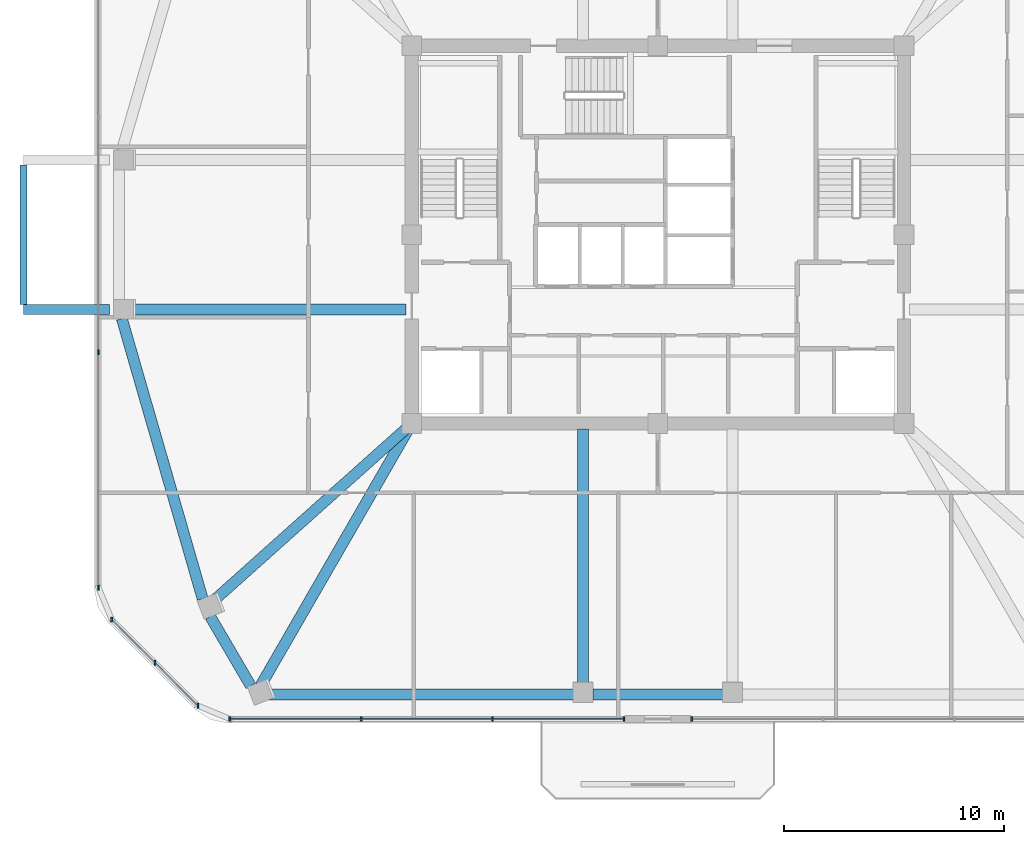
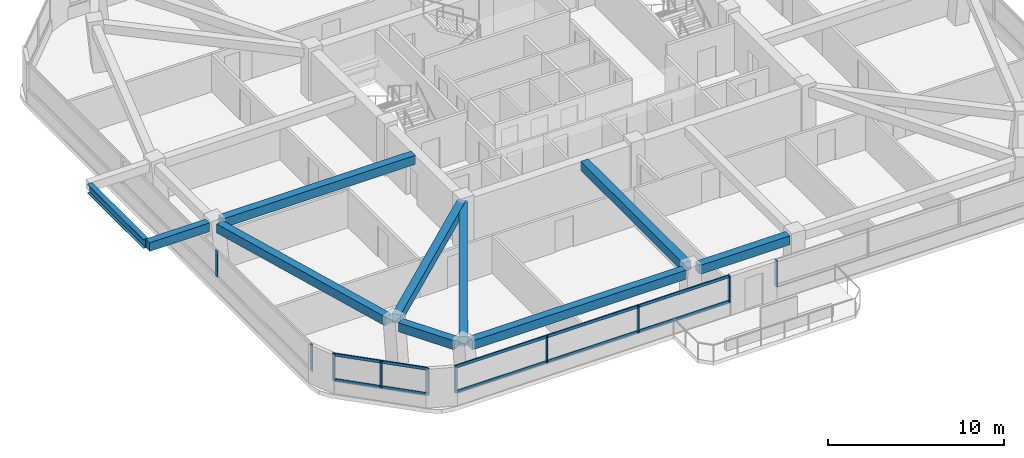
# One storey, part 2 of 12: 14 members, 10 beams, 4 elements without a shape of their own.
"""IFC4 building model written with IfcOpenShell, lengths in metres."""

from ifc_helpers import new_model, si_unit, derived_unit, direction, frame, origin, origin_2d, place, context, subcontext, project, spatial, rectangle, i_section, extrude, material, material_profile, profile_set, type_object, element, aggregate, save


model = new_model("IFC4")

# Units and contexts
model_context = context("Model", 3, precision=1e-05, world=origin(), true_north=direction((0.0, 1.0)))
body_context = subcontext(model_context, "Body", "Model", "MODEL_VIEW")
ifc_project = project(units=[si_unit("LENGTHUNIT", "METRE"), si_unit("AREAUNIT", "SQUARE_METRE"), si_unit("VOLUMEUNIT", "CUBIC_METRE"), si_unit("PLANEANGLEUNIT", "RADIAN"), si_unit("MASSUNIT", "GRAM", prefix="KILO"), derived_unit("THERMALTRANSMITTANCEUNIT", [(si_unit("POWERUNIT", "WATT"), 1), (si_unit("LENGTHUNIT", "METRE"), -2), (si_unit("THERMODYNAMICTEMPERATUREUNIT", "KELVIN"), -1)])], contexts=[model_context])

# Site, building, storey
site_placement = place(None, origin())
site = spatial("IfcSite", under=ifc_project, at=site_placement, CompositionType="ELEMENT")
building_placement = place(site_placement, origin())
building = spatial("IfcBuilding", under=site, at=building_placement, Name="Koralith Skygarden Medical Center", CompositionType="ELEMENT")
storey_placement = place(building_placement, frame((0.0, 0.0, 203.580078125)))
storey = spatial("IfcBuildingStorey", under=building, at=storey_placement, Name="L52", CompositionType="ELEMENT", Elevation=203.580078125)

# Curtain wall, members
ifc_material_1 = material(Name="Clear Laminated Glass", Category="glass")
curtain_wall_type = type_object("IfcCurtainWallType", Name="CW-5 Zone 4 Flare Biophilic Curtain Wall", PredefinedType="NOTDEFINED", material=ifc_material_1)
curtain_wall_1_placement = place(storey_placement, origin())
curtain_wall_1 = element("IfcCurtainWall", 1, at=curtain_wall_1_placement, inside=storey, type_object=curtain_wall_type, Name="Curtain Wall CW-L52-S-L", PredefinedType="NOTDEFINED")
ifc_material_2 = material(Name="Aluminium 6063-T6", Category="aluminium")
ifc_material_profile_1 = material_profile(ifc_material_2, rectangle(XDim=0.080078125, YDim=0.219970703125, at=origin_2d()), Name="MUL80X220")
ifc_profile_set_1 = profile_set([ifc_material_profile_1], Name="Aluminium 6063-T6")
member_type_1 = type_object("IfcMemberType", Name="CW-5 Extruded Mullion 80x220", PredefinedType="MULLION", material=ifc_profile_set_1)
member_1_placement = place(storey_placement, frame((17.52490234375, 3.85791015625, 0.849853515625), z_axis=(0.0, 0.0, 1.0), x_axis=(1.0, 0.0, 0.0)))
member_1 = element("IfcMember", 2, at=member_1_placement, type_object=member_type_1, Name="CW-L52-S-L Mullion 1", PredefinedType="MULLION", context=body_context, shape_type="SweptSolid", body=[
    extrude(rectangle(XDim=0.080078125, YDim=0.219970703125, at=origin_2d()), origin(), (0.0, 0.0, 1.0), 1.840087890625),
])
member_2_placement = place(storey_placement, frame((23.5029296875, 3.85791015625, 0.849853515625), z_axis=(0.0, 0.0, 1.0), x_axis=(1.0, 0.0, 0.0)))
member_2 = element("IfcMember", 3, at=member_2_placement, type_object=member_type_1, Name="CW-L52-S-L Mullion 2", PredefinedType="MULLION", context=body_context, shape_type="SweptSolid", body=[
    extrude(rectangle(XDim=0.080078125, YDim=0.219970703125, at=origin_2d()), origin(), (0.0, 0.0, 1.0), 1.840087890625),
])
member_3_placement = place(storey_placement, frame((29.48193359375, 3.85791015625, 0.849853515625), z_axis=(0.0, 0.0, 1.0), x_axis=(1.0, 0.0, 0.0)))
member_3 = element("IfcMember", 4, at=member_3_placement, type_object=member_type_1, Name="CW-L52-S-L Mullion 3", PredefinedType="MULLION", context=body_context, shape_type="SweptSolid", body=[
    extrude(rectangle(XDim=0.080078125, YDim=0.219970703125, at=origin_2d()), origin(), (0.0, 0.0, 1.0), 1.840087890625),
])
member_4_placement = place(storey_placement, frame((35.4599609375, 3.85791015625, 0.849853515625), z_axis=(0.0, 0.0, 1.0), x_axis=(1.0, 0.0, 0.0)))
member_4 = element("IfcMember", 5, at=member_4_placement, type_object=member_type_1, Name="CW-L52-S-L Mullion 4", PredefinedType="MULLION", context=body_context, shape_type="SweptSolid", body=[
    extrude(rectangle(XDim=0.080078125, YDim=0.219970703125, at=origin_2d()), origin(), (0.0, 0.0, 1.0), 1.840087890625),
])

# Curtain wall, member
curtain_wall_2_placement = place(storey_placement, origin())
curtain_wall_2 = element("IfcCurtainWall", 6, at=curtain_wall_2_placement, inside=storey, type_object=curtain_wall_type, Name="Curtain Wall CW-L52-S-R", PredefinedType="NOTDEFINED")
member_5_placement = place(storey_placement, frame((38.5400390625, 3.85791015625, 0.849853515625), z_axis=(0.0, 0.0, 1.0), x_axis=(1.0, 0.0, 0.0)))
member_5 = element("IfcMember", 7, at=member_5_placement, type_object=member_type_1, Name="CW-L52-S-R Mullion 1", PredefinedType="MULLION", context=body_context, shape_type="SweptSolid", body=[
    extrude(rectangle(XDim=0.080078125, YDim=0.219970703125, at=origin_2d()), origin(), (0.0, 0.0, 1.0), 1.840087890625),
])
aggregate(curtain_wall_2, [member_5])

# Curtain wall, members
curtain_wall_3_placement = place(storey_placement, origin())
curtain_wall_3 = element("IfcCurtainWall", 8, at=curtain_wall_3_placement, inside=storey, type_object=curtain_wall_type, Name="Curtain Wall CW-L52-W", PredefinedType="NOTDEFINED")
member_6_placement = place(storey_placement, frame((11.549072265625, 20.544921875, 0.849853515625), z_axis=(0.0, 0.0, 1.0), x_axis=(1.0, 0.0, 0.0)))
member_6 = element("IfcMember", 9, at=member_6_placement, type_object=member_type_1, Name="CW-L52-W Mullion 3", PredefinedType="MULLION", context=body_context, shape_type="SweptSolid", body=[
    extrude(rectangle(XDim=0.080078125, YDim=0.219970703125, at=origin_2d()), origin(), (0.0, 0.0, 1.0), 1.840087890625),
])
member_7_placement = place(storey_placement, frame((11.549072265625, 9.833984375, 0.849853515625), z_axis=(0.0, 0.0, 1.0), x_axis=(1.0, 0.0, 0.0)))
member_7 = element("IfcMember", 10, at=member_7_placement, type_object=member_type_1, Name="CW-L52-W Mullion 4", PredefinedType="MULLION", context=body_context, shape_type="SweptSolid", body=[
    extrude(rectangle(XDim=0.080078125, YDim=0.219970703125, at=origin_2d()), origin(), (0.0, 0.0, 1.0), 1.840087890625),
])
aggregate(curtain_wall_3, [member_6, member_7])

curtain_wall_4_placement = place(storey_placement, origin())
curtain_wall_4 = element("IfcCurtainWall", 11, at=curtain_wall_4_placement, inside=storey, type_object=curtain_wall_type, Name="Curtain Wall CW-L52-SW", PredefinedType="NOTDEFINED")
member_8_placement = place(storey_placement, frame((12.15087890625, 8.383056640625, 0.849853515625), z_axis=(0.0, 0.0, 1.0), x_axis=(1.0, 0.0, 0.0)))
member_8 = element("IfcMember", 12, at=member_8_placement, type_object=member_type_1, Name="CW-L52-SW Mullion 1", PredefinedType="MULLION", context=body_context, shape_type="SweptSolid", body=[
    extrude(rectangle(XDim=0.080078125, YDim=0.219970703125, at=origin_2d()), origin(), (0.0, 0.0, 1.0), 1.840087890625),
])
member_9_placement = place(storey_placement, frame((14.113037109375, 6.4208984375, 0.849853515625), z_axis=(0.0, 0.0, 1.0), x_axis=(1.0, 0.0, 0.0)))
member_9 = element("IfcMember", 13, at=member_9_placement, type_object=member_type_1, Name="CW-L52-SW Mullion 2", PredefinedType="MULLION", context=body_context, shape_type="SweptSolid", body=[
    extrude(rectangle(XDim=0.080078125, YDim=0.219970703125, at=origin_2d()), origin(), (0.0, 0.0, 1.0), 1.840087890625),
])
member_10_placement = place(storey_placement, frame((16.073974609375, 4.4599609375, 0.849853515625), z_axis=(0.0, 0.0, 1.0), x_axis=(1.0, 0.0, 0.0)))
member_10 = element("IfcMember", 14, at=member_10_placement, type_object=member_type_1, Name="CW-L52-SW Mullion 3", PredefinedType="MULLION", context=body_context, shape_type="SweptSolid", body=[
    extrude(rectangle(XDim=0.080078125, YDim=0.219970703125, at=origin_2d()), origin(), (0.0, 0.0, 1.0), 1.840087890625),
])

# Member
ifc_material_profile_2 = material_profile(ifc_material_2, rectangle(XDim=0.074951171875, YDim=0.197998046875, at=origin_2d()), Name="TRN75X198")
ifc_profile_set_2 = profile_set([ifc_material_profile_2], Name="Aluminium 6063-T6")
member_type_2 = type_object("IfcMemberType", Name="CW-5 Thermal Transom 75x198", PredefinedType="USERDEFINED", material=ifc_profile_set_2)
member_11_placement = place(storey_placement, frame((17.52490234375, 3.85791015625, 0.89990234375), z_axis=(1.0, 0.0, 0.0), x_axis=(0.0, 1.0, 0.0)))
member_11 = element("IfcMember", 15, at=member_11_placement, type_object=member_type_2, Name="CW-L52-S-L Transom 1", ObjectType="TRANSOM", PredefinedType="USERDEFINED", context=body_context, shape_type="SweptSolid", body=[
    extrude(rectangle(XDim=0.074951171875, YDim=0.197998046875, at=origin_2d()), origin(), (0.0, 0.0, 1.0), 17.93505859375),
])

member_12_placement = place(storey_placement, frame((17.52490234375, 3.85791015625, 2.639892578125), z_axis=(1.0, 0.0, 0.0), x_axis=(0.0, 1.0, 0.0)))
member_12 = element("IfcMember", 16, at=member_12_placement, type_object=member_type_2, Name="CW-L52-S-L Transom 2", ObjectType="TRANSOM", PredefinedType="USERDEFINED", context=body_context, shape_type="SweptSolid", body=[
    extrude(rectangle(XDim=0.074951171875, YDim=0.197998046875, at=origin_2d()), origin(), (0.0, 0.0, 1.0), 17.93505859375),
])

aggregate(curtain_wall_1, [member_1, member_2, member_3, member_4, member_11, member_12])

member_13_placement = place(storey_placement, frame((12.15087890625, 8.383056640625, 0.89990234375), z_axis=(0.707106781187, -0.707106781187, 0.0), x_axis=(0.707106781187, 0.707106781187, 0.0)))
member_13 = element("IfcMember", 17, at=member_13_placement, type_object=member_type_2, Name="CW-L52-SW Transom 1", ObjectType="TRANSOM", PredefinedType="USERDEFINED", context=body_context, shape_type="SweptSolid", body=[
    extrude(rectangle(XDim=0.074951171875, YDim=0.197998046875, at=origin_2d()), origin(), (0.0, 0.0, 1.0), 5.548095703125),
])

member_14_placement = place(storey_placement, frame((12.15087890625, 8.383056640625, 2.639892578125), z_axis=(0.707106781187, -0.707106781187, 0.0), x_axis=(0.707106781187, 0.707106781187, 0.0)))
member_14 = element("IfcMember", 18, at=member_14_placement, type_object=member_type_2, Name="CW-L52-SW Transom 2", ObjectType="TRANSOM", PredefinedType="USERDEFINED", context=body_context, shape_type="SweptSolid", body=[
    extrude(rectangle(XDim=0.074951171875, YDim=0.197998046875, at=origin_2d()), origin(), (0.0, 0.0, 1.0), 5.548095703125),
])

aggregate(curtain_wall_4, [member_8, member_9, member_10, member_13, member_14])

# Beams
ifc_material_3 = material(Name="Steel ASTM A992 Grade 50", Category="steel")
ifc_material_profile_3 = material_profile(ifc_material_3, i_section(OverallWidth=0.326904296875, OverallDepth=0.6220703125, WebThickness=0.015380859375, FlangeThickness=0.0244140625, at=origin_2d()), Name="W24X131")
ifc_profile_set_3 = profile_set([ifc_material_profile_3], Name="Steel ASTM A992 Grade 50")
beam_type_1 = type_object("IfcBeamType", Name="Cantilever Tie Beam W24X131", PredefinedType="BEAM", material=ifc_profile_set_3)
beam_1_placement = place(storey_placement, frame((8.136962890625, 22.719970703125, 3.02880859375), z_axis=(0.0, 1.0, 0.0), x_axis=(-1.0, 0.0, 0.0)))
element("IfcBeam", 19, at=beam_1_placement, inside=storey, type_object=beam_type_1, Name="L53 W Balcony Tip Tie Beam", PredefinedType="BEAM", context=body_context, shape_type="SweptSolid", body=[
    extrude(i_section(OverallWidth=0.326904296875, OverallDepth=0.6220703125, WebThickness=0.015380859375, FlangeThickness=0.0244140625, at=origin_2d()), origin(), (0.0, 0.0, 1.0), 6.360107421875),
])
ifc_material_4 = material(Name="Concrete C45/55", Category="concrete")
ifc_material_profile_4 = material_profile(ifc_material_4, rectangle(XDim=0.449951171875, YDim=0.60009765625, at=origin_2d()), Name="RCB450X600")
ifc_profile_set_4 = profile_set([ifc_material_profile_4], Name="Concrete C45/55")
beam_type_2 = type_object("IfcBeamType", Name="Planted Balcony Cantilever Beam RCB450X600", PredefinedType="BEAM", material=ifc_profile_set_4)
beam_2_placement = place(storey_placement, frame((12.056884765625, 22.5, 3.0400390625), z_axis=(-1.0, 0.0, 0.0), x_axis=(0.0, -1.0, 0.0)))
element("IfcBeam", 20, at=beam_2_placement, inside=storey, type_object=beam_type_2, Name="L53 W Balcony Cantilever Beam A", PredefinedType="BEAM", context=body_context, shape_type="SweptSolid", body=[
    extrude(rectangle(XDim=0.449951171875, YDim=0.60009765625, at=origin_2d()), origin(), (0.0, 0.0, 1.0), 3.919921875),
])
ifc_material_profile_5 = material_profile(ifc_material_4, rectangle(XDim=0.5, YDim=0.6201171875, at=origin_2d()), Name="RCB500X620")
ifc_profile_set_5 = profile_set([ifc_material_profile_5], Name="Concrete C45/55")
beam_type_3 = type_object("IfcBeamType", Name="Upper Radial Collector Beam RCB500X620", PredefinedType="BEAM", material=ifc_profile_set_5)
beam_3_placement = place(storey_placement, frame((25.550048828125, 22.5, 3.010009765625), z_axis=(-1.0, 0.0, 0.0), x_axis=(0.0, -1.0, 0.0)))
element("IfcBeam", 21, at=beam_3_placement, inside=storey, type_object=beam_type_3, Name="L52 Radial Collector Beam RB-01", PredefinedType="BEAM", context=body_context, shape_type="SweptSolid", body=[
    extrude(rectangle(XDim=0.5, YDim=0.6201171875, at=origin_2d()), origin(), (0.0, 0.0, 1.0), 12.623046875),
])
beam_4_placement = place(storey_placement, frame((25.614013671875, 17.133056640625, 3.010009765625), z_axis=(-0.74550827496, -0.666496370557, 0.0), x_axis=(0.666496370557, -0.74550827496, 0.0)))
element("IfcBeam", 22, at=beam_4_placement, inside=storey, type_object=beam_type_3, Name="L52 Radial Collector Beam RB-02", PredefinedType="BEAM", context=body_context, shape_type="SweptSolid", body=[
    extrude(rectangle(XDim=0.5, YDim=0.6201171875, at=origin_2d()), origin(), (0.0, 0.0, 1.0), 11.908447265625),
])
beam_5_placement = place(storey_placement, frame((25.675048828125, 17.0830078125, 3.010009765625), z_axis=(-0.499453165757, -0.866340888574, 0.0), x_axis=(0.866340888574, -0.499453165757, 0.0)))
element("IfcBeam", 23, at=beam_5_placement, inside=storey, type_object=beam_type_3, Name="L52 Radial Collector Beam RB-03", PredefinedType="BEAM", context=body_context, shape_type="SweptSolid", body=[
    extrude(rectangle(XDim=0.5, YDim=0.6201171875, at=origin_2d()), origin(), (0.0, 0.0, 1.0), 13.527099609375),
])
beam_6_placement = place(storey_placement, frame((33.60009765625, 17.050048828125, 3.010009765625), z_axis=(0.0, -1.0, 0.0), x_axis=(1.0, 0.0, 0.0)))
element("IfcBeam", 24, at=beam_6_placement, inside=storey, type_object=beam_type_3, Name="L52 Radial Collector Beam RB-04", PredefinedType="BEAM", context=body_context, shape_type="SweptSolid", body=[
    extrude(rectangle(XDim=0.5, YDim=0.6201171875, at=origin_2d()), origin(), (0.0, 0.0, 1.0), 11.626953125),
])
ifc_material_profile_6 = material_profile(ifc_material_4, rectangle(XDim=0.5, YDim=0.6201171875, at=origin_2d()), Name="RCB500X620")
ifc_profile_set_6 = profile_set([ifc_material_profile_6], Name="Concrete C45/55")
beam_type_4 = type_object("IfcBeamType", Name="Zone 4-5 Spandrel Beam RCB500X620", PredefinedType="SPANDREL", material=ifc_profile_set_6)
beam_7_placement = place(storey_placement, frame((12.60888671875, 22.076904296875, 3.010009765625), z_axis=(0.277079650046, -0.96084695323, 0.0), x_axis=(0.96084695323, 0.277079650046, 0.0)))
element("IfcBeam", 25, at=beam_7_placement, inside=storey, type_object=beam_type_4, Name="L52 Perimeter Spandrel Beam SP-01", PredefinedType="SPANDREL", context=body_context, shape_type="SweptSolid", body=[
    extrude(rectangle(XDim=0.5, YDim=0.6201171875, at=origin_2d()), origin(), (0.0, 0.0, 1.0), 13.2705078125),
])
beam_8_placement = place(storey_placement, frame((16.6298828125, 8.52294921875, 3.010009765625), z_axis=(0.504662936205, -0.863316466205, 0.0), x_axis=(0.863316466205, 0.504662936205, 0.0)))
element("IfcBeam", 26, at=beam_8_placement, inside=storey, type_object=beam_type_4, Name="L52 Perimeter Spandrel Beam SP-02", PredefinedType="SPANDREL", context=body_context, shape_type="SweptSolid", body=[
    extrude(rectangle(XDim=0.5, YDim=0.6201171875, at=origin_2d()), origin(), (0.0, 0.0, 1.0), 3.66015625),
])
beam_9_placement = place(storey_placement, frame((19.138916015625, 4.98291015625, 3.010009765625), z_axis=(1.0, 0.0, 0.0), x_axis=(0.0, 1.0, 0.0)))
element("IfcBeam", 27, at=beam_9_placement, inside=storey, type_object=beam_type_4, Name="L52 Perimeter Spandrel Beam SP-03", PredefinedType="SPANDREL", context=body_context, shape_type="SweptSolid", body=[
    extrude(rectangle(XDim=0.5, YDim=0.6201171875, at=origin_2d()), origin(), (0.0, 0.0, 1.0), 14.02099609375),
])
beam_10_placement = place(storey_placement, frame((34.0400390625, 4.98291015625, 3.010009765625), z_axis=(1.0, 0.0, 0.0), x_axis=(0.0, 1.0, 0.0)))
element("IfcBeam", 28, at=beam_10_placement, inside=storey, type_object=beam_type_4, Name="L52 Perimeter Spandrel Beam SP-04", PredefinedType="SPANDREL", context=body_context, shape_type="SweptSolid", body=[
    extrude(rectangle(XDim=0.5, YDim=0.6201171875, at=origin_2d()), origin(), (0.0, 0.0, 1.0), 5.919921875),
])

save(model, "model.ifc")
